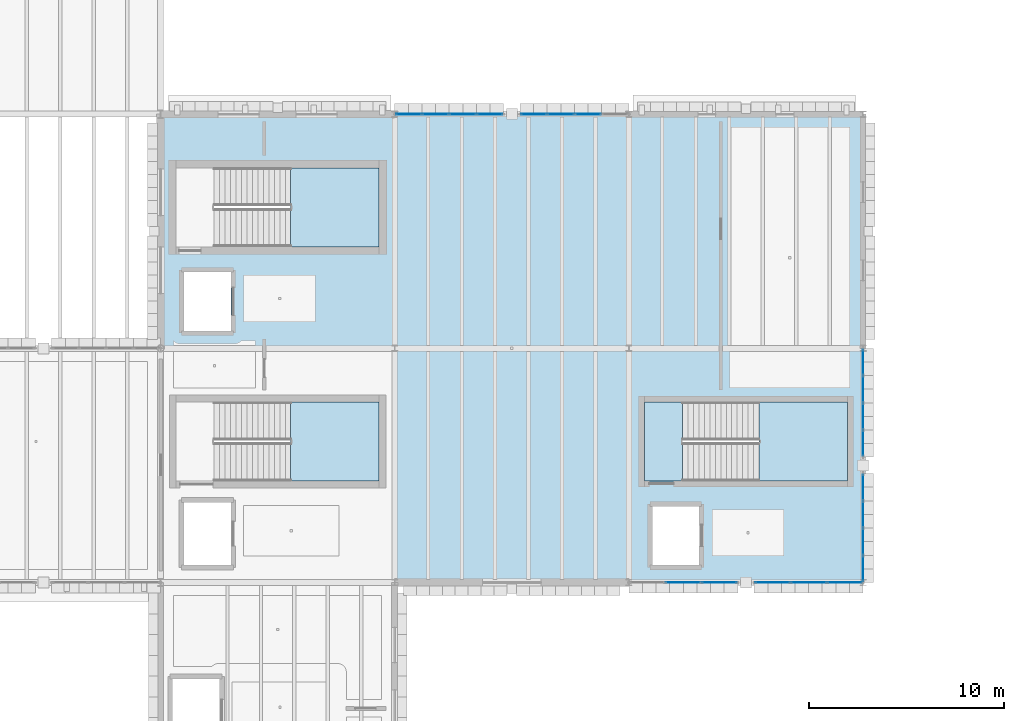
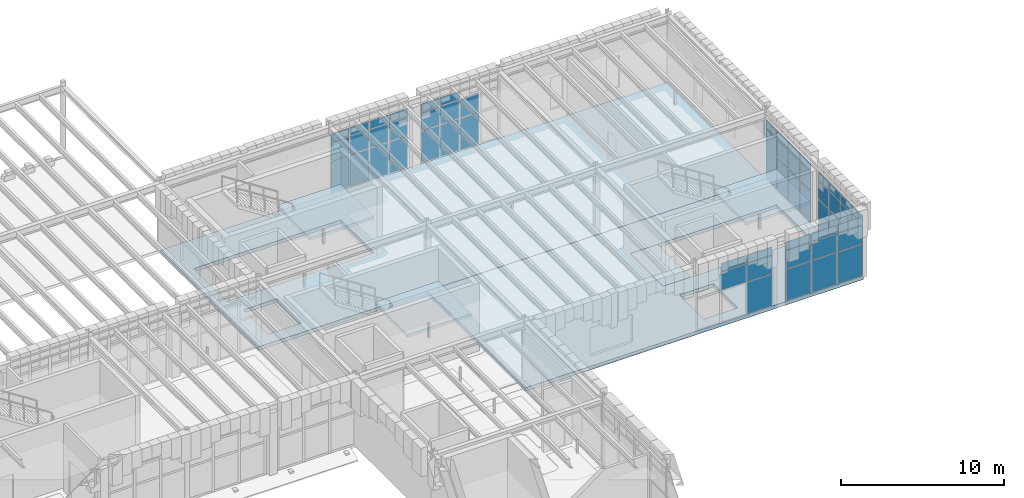
# One storey, part 54 of 100: 58 plates, 6 slabs, 9 elements without a shape of their own.
"""IFC4 building model written with IfcOpenShell, lengths in metres."""

from ifc_helpers import new_model, si_unit, direction, frame, origin, origin_2d, place, context, subcontext, project, spatial, polyline, rectangle, outline, extrude, material, layer, layer_set, type_object, element, aggregate, save


model = new_model("IFC4")

# Units and contexts
model_context = context("Model", 3, precision=1e-05, world=origin(), true_north=direction((0.0, 1.0)))
body_context = subcontext(model_context, "Body", "Model", "MODEL_VIEW")
ifc_project = project(units=[si_unit("LENGTHUNIT", "METRE"), si_unit("AREAUNIT", "SQUARE_METRE"), si_unit("VOLUMEUNIT", "CUBIC_METRE"), si_unit("PLANEANGLEUNIT", "RADIAN"), si_unit("MASSUNIT", "GRAM", prefix="KILO")], contexts=[model_context])

# Site, building, storey
site_placement = place(None, origin())
site = spatial("IfcSite", under=ifc_project, at=site_placement, CompositionType="ELEMENT")
building_placement = place(site_placement, origin())
building = spatial("IfcBuilding", under=site, at=building_placement, Name="Zlatogorsky Bluff Art Gallery", CompositionType="ELEMENT")
storey_placement = place(building_placement, frame((0.0, 0.0, 5.39990234375)))
storey = spatial("IfcBuildingStorey", under=building, at=storey_placement, Name="L01", CompositionType="ELEMENT", Elevation=5.39990234375)

# Curtain wall, plates
ifc_material_1 = material(Name="Anodised Bronze Aluminium and Low-Iron Triple Glazing", Category="aluminium")
ifc_layer_1 = layer(ifc_material_1, 0.179931640625)
ifc_layer_set_1 = layer_set([ifc_layer_1], Name="Curtain Wall CW-01")
curtain_wall_type_1 = type_object("IfcCurtainWallType", Name="Curtain Wall CW-01", PredefinedType="USERDEFINED", material=ifc_layer_set_1)
curtain_wall_1_placement = place(storey_placement, origin())
curtain_wall_1 = element("IfcCurtainWall", 1, at=curtain_wall_1_placement, inside=storey, type_object=curtain_wall_type_1, Name="Unitised curtain wall CW-01 L01 N 11.9-A", ObjectType="CURTAIN WALL", PredefinedType="USERDEFINED")
ifc_material_2 = material(Name="Low-Iron Laminated Triple Glazing", Category="glass")
ifc_layer_2 = layer(ifc_material_2, 0.035888671875)
ifc_layer_set_2 = layer_set([ifc_layer_2], Name="Glazed Curtain Panel CWP-01")
plate_type = type_object("IfcPlateType", Name="Glazed Curtain Panel CWP-01", PredefinedType="CURTAIN_PANEL", material=ifc_layer_set_2)
plate_1_placement = place(storey_placement, frame((141.907470703125, 108.0, 0.065185546875), z_axis=(0.0, 0.0, 1.0), x_axis=(-1.0, 0.0, 0.0)))
plate_1 = element("IfcPlate", 2, at=plate_1_placement, type_object=plate_type, Name="CW-01 panel 2.1", PredefinedType="CURTAIN_PANEL", context=body_context, shape_type="SweptSolid", body=[
    extrude(rectangle(XDim=1.330078125, YDim=0.035888671875, at=origin_2d()), origin(), (0.0, 0.0, 1.0), 2.3525390625),
])
plate_2_placement = place(storey_placement, frame((141.907470703125, 108.0, 2.482666015625), z_axis=(0.0, 0.0, 1.0), x_axis=(-1.0, 0.0, 0.0)))
plate_2 = element("IfcPlate", 3, at=plate_2_placement, type_object=plate_type, Name="CW-01 panel 2.2", PredefinedType="CURTAIN_PANEL", context=body_context, shape_type="SweptSolid", body=[
    extrude(rectangle(XDim=1.330078125, YDim=0.035888671875, at=origin_2d()), origin(), (0.0, 0.0, 1.0), 1.3349609375),
])
plate_3_placement = place(storey_placement, frame((140.512451171875, 108.0, 0.065185546875), z_axis=(0.0, 0.0, 1.0), x_axis=(-1.0, 0.0, 0.0)))
plate_3 = element("IfcPlate", 4, at=plate_3_placement, type_object=plate_type, Name="CW-01 panel 3.1", PredefinedType="CURTAIN_PANEL", context=body_context, shape_type="SweptSolid", body=[
    extrude(rectangle(XDim=1.330078125, YDim=0.035888671875, at=origin_2d()), origin(), (0.0, 0.0, 1.0), 2.3525390625),
])
plate_4_placement = place(storey_placement, frame((140.512451171875, 108.0, 2.482666015625), z_axis=(0.0, 0.0, 1.0), x_axis=(-1.0, 0.0, 0.0)))
plate_4 = element("IfcPlate", 5, at=plate_4_placement, type_object=plate_type, Name="CW-01 panel 3.2", PredefinedType="CURTAIN_PANEL", context=body_context, shape_type="SweptSolid", body=[
    extrude(rectangle(XDim=1.330078125, YDim=0.035888671875, at=origin_2d()), origin(), (0.0, 0.0, 1.0), 1.3349609375),
])
plate_5_placement = place(storey_placement, frame((140.512451171875, 108.0, 3.882568359375), z_axis=(0.0, 0.0, 1.0), x_axis=(-1.0, 0.0, 0.0)))
plate_5 = element("IfcPlate", 6, at=plate_5_placement, type_object=plate_type, Name="CW-01 panel 3.3", PredefinedType="CURTAIN_PANEL", context=body_context, shape_type="SweptSolid", body=[
    extrude(rectangle(XDim=1.330078125, YDim=0.035888671875, at=origin_2d()), origin(), (0.0, 0.0, 1.0), 0.58251953125),
])
plate_6_placement = place(storey_placement, frame((139.1337890625, 108.0, 0.065185546875), z_axis=(0.0, 0.0, 1.0), x_axis=(-1.0, 0.0, 0.0)))
plate_6 = element("IfcPlate", 7, at=plate_6_placement, type_object=plate_type, Name="CW-01 panel 4.1", PredefinedType="CURTAIN_PANEL", context=body_context, shape_type="SweptSolid", body=[
    extrude(rectangle(XDim=1.297607421875, YDim=0.035888671875, at=origin_2d()), origin(), (0.0, 0.0, 1.0), 2.3525390625),
])
plate_7_placement = place(storey_placement, frame((139.1337890625, 108.0, 2.482666015625), z_axis=(0.0, 0.0, 1.0), x_axis=(-1.0, 0.0, 0.0)))
plate_7 = element("IfcPlate", 8, at=plate_7_placement, type_object=plate_type, Name="CW-01 panel 4.2", PredefinedType="CURTAIN_PANEL", context=body_context, shape_type="SweptSolid", body=[
    extrude(rectangle(XDim=1.297607421875, YDim=0.035888671875, at=origin_2d()), origin(), (0.0, 0.0, 1.0), 1.3349609375),
])
plate_8_placement = place(storey_placement, frame((139.1337890625, 108.0, 3.882568359375), z_axis=(0.0, 0.0, 1.0), x_axis=(-1.0, 0.0, 0.0)))
plate_8 = element("IfcPlate", 9, at=plate_8_placement, type_object=plate_type, Name="CW-01 panel 4.3", PredefinedType="CURTAIN_PANEL", context=body_context, shape_type="SweptSolid", body=[
    extrude(rectangle(XDim=1.297607421875, YDim=0.035888671875, at=origin_2d()), origin(), (0.0, 0.0, 1.0), 0.58251953125),
])
aggregate(curtain_wall_1, [plate_1, plate_2, plate_3, plate_4, plate_5, plate_6, plate_7, plate_8])

curtain_wall_2_placement = place(storey_placement, origin())
curtain_wall_2 = element("IfcCurtainWall", 10, at=curtain_wall_2_placement, inside=storey, type_object=curtain_wall_type_1, Name="Unitised curtain wall CW-01 L01 N 11.9-B", ObjectType="CURTAIN WALL", PredefinedType="USERDEFINED")
plate_9_placement = place(storey_placement, frame((136.8662109375, 108.0, 0.065185546875), z_axis=(0.0, 0.0, 1.0), x_axis=(-1.0, 0.0, 0.0)))
plate_9 = element("IfcPlate", 11, at=plate_9_placement, type_object=plate_type, Name="CW-01 panel 1.1", PredefinedType="CURTAIN_PANEL", context=body_context, shape_type="SweptSolid", body=[
    extrude(rectangle(XDim=1.297607421875, YDim=0.035888671875, at=origin_2d()), origin(), (0.0, 0.0, 1.0), 2.3525390625),
])
plate_10_placement = place(storey_placement, frame((136.8662109375, 108.0, 2.482666015625), z_axis=(0.0, 0.0, 1.0), x_axis=(-1.0, 0.0, 0.0)))
plate_10 = element("IfcPlate", 12, at=plate_10_placement, type_object=plate_type, Name="CW-01 panel 1.2", PredefinedType="CURTAIN_PANEL", context=body_context, shape_type="SweptSolid", body=[
    extrude(rectangle(XDim=1.297607421875, YDim=0.035888671875, at=origin_2d()), origin(), (0.0, 0.0, 1.0), 1.3349609375),
])
plate_11_placement = place(storey_placement, frame((136.8662109375, 108.0, 3.882568359375), z_axis=(0.0, 0.0, 1.0), x_axis=(-1.0, 0.0, 0.0)))
plate_11 = element("IfcPlate", 13, at=plate_11_placement, type_object=plate_type, Name="CW-01 panel 1.3", PredefinedType="CURTAIN_PANEL", context=body_context, shape_type="SweptSolid", body=[
    extrude(rectangle(XDim=1.297607421875, YDim=0.035888671875, at=origin_2d()), origin(), (0.0, 0.0, 1.0), 0.58251953125),
])
plate_12_placement = place(storey_placement, frame((135.487548828125, 108.0, 0.065185546875), z_axis=(0.0, 0.0, 1.0), x_axis=(-1.0, 0.0, 0.0)))
plate_12 = element("IfcPlate", 14, at=plate_12_placement, type_object=plate_type, Name="CW-01 panel 2.1", PredefinedType="CURTAIN_PANEL", context=body_context, shape_type="SweptSolid", body=[
    extrude(rectangle(XDim=1.330078125, YDim=0.035888671875, at=origin_2d()), origin(), (0.0, 0.0, 1.0), 2.3525390625),
])
plate_13_placement = place(storey_placement, frame((135.487548828125, 108.0, 2.482666015625), z_axis=(0.0, 0.0, 1.0), x_axis=(-1.0, 0.0, 0.0)))
plate_13 = element("IfcPlate", 15, at=plate_13_placement, type_object=plate_type, Name="CW-01 panel 2.2", PredefinedType="CURTAIN_PANEL", context=body_context, shape_type="SweptSolid", body=[
    extrude(rectangle(XDim=1.330078125, YDim=0.035888671875, at=origin_2d()), origin(), (0.0, 0.0, 1.0), 1.3349609375),
])
plate_14_placement = place(storey_placement, frame((135.487548828125, 108.0, 3.882568359375), z_axis=(0.0, 0.0, 1.0), x_axis=(-1.0, 0.0, 0.0)))
plate_14 = element("IfcPlate", 16, at=plate_14_placement, type_object=plate_type, Name="CW-01 panel 2.3", PredefinedType="CURTAIN_PANEL", context=body_context, shape_type="SweptSolid", body=[
    extrude(rectangle(XDim=1.330078125, YDim=0.035888671875, at=origin_2d()), origin(), (0.0, 0.0, 1.0), 0.58251953125),
])
plate_15_placement = place(storey_placement, frame((134.092529296875, 108.0, 0.065185546875), z_axis=(0.0, 0.0, 1.0), x_axis=(-1.0, 0.0, 0.0)))
plate_15 = element("IfcPlate", 17, at=plate_15_placement, type_object=plate_type, Name="CW-01 panel 3.1", PredefinedType="CURTAIN_PANEL", context=body_context, shape_type="SweptSolid", body=[
    extrude(rectangle(XDim=1.330078125, YDim=0.035888671875, at=origin_2d()), origin(), (0.0, 0.0, 1.0), 2.3525390625),
])
plate_16_placement = place(storey_placement, frame((134.092529296875, 108.0, 2.482666015625), z_axis=(0.0, 0.0, 1.0), x_axis=(-1.0, 0.0, 0.0)))
plate_16 = element("IfcPlate", 18, at=plate_16_placement, type_object=plate_type, Name="CW-01 panel 3.2", PredefinedType="CURTAIN_PANEL", context=body_context, shape_type="SweptSolid", body=[
    extrude(rectangle(XDim=1.330078125, YDim=0.035888671875, at=origin_2d()), origin(), (0.0, 0.0, 1.0), 1.3349609375),
])
plate_17_placement = place(storey_placement, frame((134.092529296875, 108.0, 3.882568359375), z_axis=(0.0, 0.0, 1.0), x_axis=(-1.0, 0.0, 0.0)))
plate_17 = element("IfcPlate", 19, at=plate_17_placement, type_object=plate_type, Name="CW-01 panel 3.3", PredefinedType="CURTAIN_PANEL", context=body_context, shape_type="SweptSolid", body=[
    extrude(rectangle(XDim=1.330078125, YDim=0.035888671875, at=origin_2d()), origin(), (0.0, 0.0, 1.0), 0.58251953125),
])
plate_18_placement = place(storey_placement, frame((132.7138671875, 108.0, 0.065185546875), z_axis=(0.0, 0.0, 1.0), x_axis=(-1.0, 0.0, 0.0)))
plate_18 = element("IfcPlate", 20, at=plate_18_placement, type_object=plate_type, Name="CW-01 panel 4.1", PredefinedType="CURTAIN_PANEL", context=body_context, shape_type="SweptSolid", body=[
    extrude(rectangle(XDim=1.297607421875, YDim=0.035888671875, at=origin_2d()), origin(), (0.0, 0.0, 1.0), 2.3525390625),
])
plate_19_placement = place(storey_placement, frame((132.7138671875, 108.0, 2.482666015625), z_axis=(0.0, 0.0, 1.0), x_axis=(-1.0, 0.0, 0.0)))
plate_19 = element("IfcPlate", 21, at=plate_19_placement, type_object=plate_type, Name="CW-01 panel 4.2", PredefinedType="CURTAIN_PANEL", context=body_context, shape_type="SweptSolid", body=[
    extrude(rectangle(XDim=1.297607421875, YDim=0.035888671875, at=origin_2d()), origin(), (0.0, 0.0, 1.0), 1.3349609375),
])
plate_20_placement = place(storey_placement, frame((132.7138671875, 108.0, 3.882568359375), z_axis=(0.0, 0.0, 1.0), x_axis=(-1.0, 0.0, 0.0)))
plate_20 = element("IfcPlate", 22, at=plate_20_placement, type_object=plate_type, Name="CW-01 panel 4.3", PredefinedType="CURTAIN_PANEL", context=body_context, shape_type="SweptSolid", body=[
    extrude(rectangle(XDim=1.297607421875, YDim=0.035888671875, at=origin_2d()), origin(), (0.0, 0.0, 1.0), 0.58251953125),
])
aggregate(curtain_wall_2, [plate_9, plate_10, plate_11, plate_12, plate_13, plate_14, plate_15, plate_16, plate_17, plate_18, plate_19, plate_20])

ifc_layer_3 = layer(ifc_material_1, 0.219970703125)
ifc_layer_set_3 = layer_set([ifc_layer_3], Name="Curtain Wall CW-04")
curtain_wall_type_2 = type_object("IfcCurtainWallType", Name="Curtain Wall CW-04", PredefinedType="USERDEFINED", material=ifc_layer_set_3)
curtain_wall_3_placement = place(storey_placement, origin())
curtain_wall_3 = element("IfcCurtainWall", 23, at=curtain_wall_3_placement, inside=storey, type_object=curtain_wall_type_2, Name="Unitised curtain wall CW-04 L01 S 12.8-A", ObjectType="CURTAIN WALL", PredefinedType="USERDEFINED")
plate_21_placement = place(storey_placement, frame((146.7900390625, 84.0, 2.482666015625), z_axis=(0.0, 0.0, 1.0), x_axis=(1.0, 0.0, 0.0)))
plate_21 = element("IfcPlate", 24, at=plate_21_placement, type_object=plate_type, Name="CW-04 panel 2.2", PredefinedType="CURTAIN_PANEL", context=body_context, shape_type="SweptSolid", body=[
    extrude(rectangle(XDim=1.794921875, YDim=0.035888671875, at=origin_2d()), origin(), (0.0, 0.0, 1.0), 1.3349609375),
])
plate_22_placement = place(storey_placement, frame((146.7900390625, 84.0, 3.882568359375), z_axis=(0.0, 0.0, 1.0), x_axis=(1.0, 0.0, 0.0)))
plate_22 = element("IfcPlate", 25, at=plate_22_placement, type_object=plate_type, Name="CW-04 panel 2.3", PredefinedType="CURTAIN_PANEL", context=body_context, shape_type="SweptSolid", body=[
    extrude(rectangle(XDim=1.794921875, YDim=0.035888671875, at=origin_2d()), origin(), (0.0, 0.0, 1.0), 0.58251953125),
])
plate_23_placement = place(storey_placement, frame((148.6337890625, 84.0, 0.065185546875), z_axis=(0.0, 0.0, 1.0), x_axis=(1.0, 0.0, 0.0)))
plate_23 = element("IfcPlate", 26, at=plate_23_placement, type_object=plate_type, Name="CW-04 panel 3.1", PredefinedType="CURTAIN_PANEL", context=body_context, shape_type="SweptSolid", body=[
    extrude(rectangle(XDim=1.762451171875, YDim=0.035888671875, at=origin_2d()), origin(), (0.0, 0.0, 1.0), 2.3525390625),
])
plate_24_placement = place(storey_placement, frame((148.6337890625, 84.0, 2.482666015625), z_axis=(0.0, 0.0, 1.0), x_axis=(1.0, 0.0, 0.0)))
plate_24 = element("IfcPlate", 27, at=plate_24_placement, type_object=plate_type, Name="CW-04 panel 3.2", PredefinedType="CURTAIN_PANEL", context=body_context, shape_type="SweptSolid", body=[
    extrude(rectangle(XDim=1.762451171875, YDim=0.035888671875, at=origin_2d()), origin(), (0.0, 0.0, 1.0), 1.3349609375),
])
plate_25_placement = place(storey_placement, frame((148.6337890625, 84.0, 3.882568359375), z_axis=(0.0, 0.0, 1.0), x_axis=(1.0, 0.0, 0.0)))
plate_25 = element("IfcPlate", 28, at=plate_25_placement, type_object=plate_type, Name="CW-04 panel 3.3", PredefinedType="CURTAIN_PANEL", context=body_context, shape_type="SweptSolid", body=[
    extrude(rectangle(XDim=1.762451171875, YDim=0.035888671875, at=origin_2d()), origin(), (0.0, 0.0, 1.0), 0.58251953125),
])
aggregate(curtain_wall_3, [plate_21, plate_22, plate_23, plate_24, plate_25])

curtain_wall_4_placement = place(storey_placement, origin())
curtain_wall_4 = element("IfcCurtainWall", 29, at=curtain_wall_4_placement, inside=storey, type_object=curtain_wall_type_2, Name="Unitised curtain wall CW-04 L01 S 12.8-B", ObjectType="CURTAIN WALL", PredefinedType="USERDEFINED")
plate_26_placement = place(storey_placement, frame((151.3662109375, 84.0, 0.065185546875), z_axis=(0.0, 0.0, 1.0), x_axis=(1.0, 0.0, 0.0)))
plate_26 = element("IfcPlate", 30, at=plate_26_placement, type_object=plate_type, Name="CW-04 panel 1.1", PredefinedType="CURTAIN_PANEL", context=body_context, shape_type="SweptSolid", body=[
    extrude(rectangle(XDim=1.762451171875, YDim=0.035888671875, at=origin_2d()), origin(), (0.0, 0.0, 1.0), 2.3525390625),
])
plate_27_placement = place(storey_placement, frame((151.3662109375, 84.0, 2.482666015625), z_axis=(0.0, 0.0, 1.0), x_axis=(1.0, 0.0, 0.0)))
plate_27 = element("IfcPlate", 31, at=plate_27_placement, type_object=plate_type, Name="CW-04 panel 1.2", PredefinedType="CURTAIN_PANEL", context=body_context, shape_type="SweptSolid", body=[
    extrude(rectangle(XDim=1.762451171875, YDim=0.035888671875, at=origin_2d()), origin(), (0.0, 0.0, 1.0), 1.3349609375),
])
plate_28_placement = place(storey_placement, frame((151.3662109375, 84.0, 3.882568359375), z_axis=(0.0, 0.0, 1.0), x_axis=(1.0, 0.0, 0.0)))
plate_28 = element("IfcPlate", 32, at=plate_28_placement, type_object=plate_type, Name="CW-04 panel 1.3", PredefinedType="CURTAIN_PANEL", context=body_context, shape_type="SweptSolid", body=[
    extrude(rectangle(XDim=1.762451171875, YDim=0.035888671875, at=origin_2d()), origin(), (0.0, 0.0, 1.0), 0.58251953125),
])
plate_29_placement = place(storey_placement, frame((153.2099609375, 84.0, 0.065185546875), z_axis=(0.0, 0.0, 1.0), x_axis=(1.0, 0.0, 0.0)))
plate_29 = element("IfcPlate", 33, at=plate_29_placement, type_object=plate_type, Name="CW-04 panel 2.1", PredefinedType="CURTAIN_PANEL", context=body_context, shape_type="SweptSolid", body=[
    extrude(rectangle(XDim=1.794921875, YDim=0.035888671875, at=origin_2d()), origin(), (0.0, 0.0, 1.0), 2.3525390625),
])
plate_30_placement = place(storey_placement, frame((153.2099609375, 84.0, 2.482666015625), z_axis=(0.0, 0.0, 1.0), x_axis=(1.0, 0.0, 0.0)))
plate_30 = element("IfcPlate", 34, at=plate_30_placement, type_object=plate_type, Name="CW-04 panel 2.2", PredefinedType="CURTAIN_PANEL", context=body_context, shape_type="SweptSolid", body=[
    extrude(rectangle(XDim=1.794921875, YDim=0.035888671875, at=origin_2d()), origin(), (0.0, 0.0, 1.0), 1.3349609375),
])
plate_31_placement = place(storey_placement, frame((153.2099609375, 84.0, 3.882568359375), z_axis=(0.0, 0.0, 1.0), x_axis=(1.0, 0.0, 0.0)))
plate_31 = element("IfcPlate", 35, at=plate_31_placement, type_object=plate_type, Name="CW-04 panel 2.3", PredefinedType="CURTAIN_PANEL", context=body_context, shape_type="SweptSolid", body=[
    extrude(rectangle(XDim=1.794921875, YDim=0.035888671875, at=origin_2d()), origin(), (0.0, 0.0, 1.0), 0.58251953125),
])
plate_32_placement = place(storey_placement, frame((155.0537109375, 84.0, 0.065185546875), z_axis=(0.0, 0.0, 1.0), x_axis=(1.0, 0.0, 0.0)))
plate_32 = element("IfcPlate", 36, at=plate_32_placement, type_object=plate_type, Name="CW-04 panel 3.1", PredefinedType="CURTAIN_PANEL", context=body_context, shape_type="SweptSolid", body=[
    extrude(rectangle(XDim=1.762451171875, YDim=0.035888671875, at=origin_2d()), origin(), (0.0, 0.0, 1.0), 2.3525390625),
])
plate_33_placement = place(storey_placement, frame((155.0537109375, 84.0, 2.482666015625), z_axis=(0.0, 0.0, 1.0), x_axis=(1.0, 0.0, 0.0)))
plate_33 = element("IfcPlate", 37, at=plate_33_placement, type_object=plate_type, Name="CW-04 panel 3.2", PredefinedType="CURTAIN_PANEL", context=body_context, shape_type="SweptSolid", body=[
    extrude(rectangle(XDim=1.762451171875, YDim=0.035888671875, at=origin_2d()), origin(), (0.0, 0.0, 1.0), 1.3349609375),
])
plate_34_placement = place(storey_placement, frame((155.0537109375, 84.0, 3.882568359375), z_axis=(0.0, 0.0, 1.0), x_axis=(1.0, 0.0, 0.0)))
plate_34 = element("IfcPlate", 38, at=plate_34_placement, type_object=plate_type, Name="CW-04 panel 3.3", PredefinedType="CURTAIN_PANEL", context=body_context, shape_type="SweptSolid", body=[
    extrude(rectangle(XDim=1.762451171875, YDim=0.035888671875, at=origin_2d()), origin(), (0.0, 0.0, 1.0), 0.58251953125),
])
aggregate(curtain_wall_4, [plate_26, plate_27, plate_28, plate_29, plate_30, plate_31, plate_32, plate_33, plate_34])

ifc_layer_4 = layer(ifc_material_1, 0.199951171875)
ifc_layer_set_4 = layer_set([ifc_layer_4], Name="Curtain Wall CW-02")
curtain_wall_type_3 = type_object("IfcCurtainWallType", Name="Curtain Wall CW-02", PredefinedType="USERDEFINED", material=ifc_layer_set_4)
curtain_wall_5_placement = place(storey_placement, origin())
curtain_wall_5 = element("IfcCurtainWall", 39, at=curtain_wall_5_placement, inside=storey, type_object=curtain_wall_type_3, Name="Unitised curtain wall CW-02 L01 E 12.8-A", ObjectType="CURTAIN WALL", PredefinedType="USERDEFINED")
plate_35_placement = place(storey_placement, frame((156.0, 84.7138671875, 0.065185546875), z_axis=(0.0, 0.0, 1.0), x_axis=(0.0, 1.0, 0.0)))
plate_35 = element("IfcPlate", 40, at=plate_35_placement, type_object=plate_type, Name="CW-02 panel 1.1", PredefinedType="CURTAIN_PANEL", context=body_context, shape_type="SweptSolid", body=[
    extrude(rectangle(XDim=1.297607421875, YDim=0.035888671875, at=origin_2d()), origin(), (0.0, 0.0, 1.0), 2.3525390625),
])
plate_36_placement = place(storey_placement, frame((156.0, 84.7138671875, 2.482666015625), z_axis=(0.0, 0.0, 1.0), x_axis=(0.0, 1.0, 0.0)))
plate_36 = element("IfcPlate", 41, at=plate_36_placement, type_object=plate_type, Name="CW-02 panel 1.2", PredefinedType="CURTAIN_PANEL", context=body_context, shape_type="SweptSolid", body=[
    extrude(rectangle(XDim=1.297607421875, YDim=0.035888671875, at=origin_2d()), origin(), (0.0, 0.0, 1.0), 1.3349609375),
])
plate_37_placement = place(storey_placement, frame((156.0, 84.7138671875, 3.882568359375), z_axis=(0.0, 0.0, 1.0), x_axis=(0.0, 1.0, 0.0)))
plate_37 = element("IfcPlate", 42, at=plate_37_placement, type_object=plate_type, Name="CW-02 panel 1.3", PredefinedType="CURTAIN_PANEL", context=body_context, shape_type="SweptSolid", body=[
    extrude(rectangle(XDim=1.297607421875, YDim=0.035888671875, at=origin_2d()), origin(), (0.0, 0.0, 1.0), 0.58251953125),
])
plate_38_placement = place(storey_placement, frame((156.0, 86.092529296875, 0.065185546875), z_axis=(0.0, 0.0, 1.0), x_axis=(0.0, 1.0, 0.0)))
plate_38 = element("IfcPlate", 43, at=plate_38_placement, type_object=plate_type, Name="CW-02 panel 2.1", PredefinedType="CURTAIN_PANEL", context=body_context, shape_type="SweptSolid", body=[
    extrude(rectangle(XDim=1.330078125, YDim=0.035888671875, at=origin_2d()), origin(), (0.0, 0.0, 1.0), 2.3525390625),
])
plate_39_placement = place(storey_placement, frame((156.0, 86.092529296875, 2.482666015625), z_axis=(0.0, 0.0, 1.0), x_axis=(0.0, 1.0, 0.0)))
plate_39 = element("IfcPlate", 44, at=plate_39_placement, type_object=plate_type, Name="CW-02 panel 2.2", PredefinedType="CURTAIN_PANEL", context=body_context, shape_type="SweptSolid", body=[
    extrude(rectangle(XDim=1.330078125, YDim=0.035888671875, at=origin_2d()), origin(), (0.0, 0.0, 1.0), 1.3349609375),
])
plate_40_placement = place(storey_placement, frame((156.0, 86.092529296875, 3.882568359375), z_axis=(0.0, 0.0, 1.0), x_axis=(0.0, 1.0, 0.0)))
plate_40 = element("IfcPlate", 45, at=plate_40_placement, type_object=plate_type, Name="CW-02 panel 2.3", PredefinedType="CURTAIN_PANEL", context=body_context, shape_type="SweptSolid", body=[
    extrude(rectangle(XDim=1.330078125, YDim=0.035888671875, at=origin_2d()), origin(), (0.0, 0.0, 1.0), 0.58251953125),
])
plate_41_placement = place(storey_placement, frame((156.0, 87.487548828125, 0.065185546875), z_axis=(0.0, 0.0, 1.0), x_axis=(0.0, 1.0, 0.0)))
plate_41 = element("IfcPlate", 46, at=plate_41_placement, type_object=plate_type, Name="CW-02 panel 3.1", PredefinedType="CURTAIN_PANEL", context=body_context, shape_type="SweptSolid", body=[
    extrude(rectangle(XDim=1.330078125, YDim=0.035888671875, at=origin_2d()), origin(), (0.0, 0.0, 1.0), 2.3525390625),
])
plate_42_placement = place(storey_placement, frame((156.0, 87.487548828125, 2.482666015625), z_axis=(0.0, 0.0, 1.0), x_axis=(0.0, 1.0, 0.0)))
plate_42 = element("IfcPlate", 47, at=plate_42_placement, type_object=plate_type, Name="CW-02 panel 3.2", PredefinedType="CURTAIN_PANEL", context=body_context, shape_type="SweptSolid", body=[
    extrude(rectangle(XDim=1.330078125, YDim=0.035888671875, at=origin_2d()), origin(), (0.0, 0.0, 1.0), 1.3349609375),
])
plate_43_placement = place(storey_placement, frame((156.0, 87.487548828125, 3.882568359375), z_axis=(0.0, 0.0, 1.0), x_axis=(0.0, 1.0, 0.0)))
plate_43 = element("IfcPlate", 48, at=plate_43_placement, type_object=plate_type, Name="CW-02 panel 3.3", PredefinedType="CURTAIN_PANEL", context=body_context, shape_type="SweptSolid", body=[
    extrude(rectangle(XDim=1.330078125, YDim=0.035888671875, at=origin_2d()), origin(), (0.0, 0.0, 1.0), 0.58251953125),
])
plate_44_placement = place(storey_placement, frame((156.0, 88.8662109375, 0.065185546875), z_axis=(0.0, 0.0, 1.0), x_axis=(0.0, 1.0, 0.0)))
plate_44 = element("IfcPlate", 49, at=plate_44_placement, type_object=plate_type, Name="CW-02 panel 4.1", PredefinedType="CURTAIN_PANEL", context=body_context, shape_type="SweptSolid", body=[
    extrude(rectangle(XDim=1.297607421875, YDim=0.035888671875, at=origin_2d()), origin(), (0.0, 0.0, 1.0), 2.3525390625),
])
plate_45_placement = place(storey_placement, frame((156.0, 88.8662109375, 2.482666015625), z_axis=(0.0, 0.0, 1.0), x_axis=(0.0, 1.0, 0.0)))
plate_45 = element("IfcPlate", 50, at=plate_45_placement, type_object=plate_type, Name="CW-02 panel 4.2", PredefinedType="CURTAIN_PANEL", context=body_context, shape_type="SweptSolid", body=[
    extrude(rectangle(XDim=1.297607421875, YDim=0.035888671875, at=origin_2d()), origin(), (0.0, 0.0, 1.0), 1.3349609375),
])
plate_46_placement = place(storey_placement, frame((156.0, 88.8662109375, 3.882568359375), z_axis=(0.0, 0.0, 1.0), x_axis=(0.0, 1.0, 0.0)))
plate_46 = element("IfcPlate", 51, at=plate_46_placement, type_object=plate_type, Name="CW-02 panel 4.3", PredefinedType="CURTAIN_PANEL", context=body_context, shape_type="SweptSolid", body=[
    extrude(rectangle(XDim=1.297607421875, YDim=0.035888671875, at=origin_2d()), origin(), (0.0, 0.0, 1.0), 0.58251953125),
])
aggregate(curtain_wall_5, [plate_35, plate_36, plate_37, plate_38, plate_39, plate_40, plate_41, plate_42, plate_43, plate_44, plate_45, plate_46])

curtain_wall_6_placement = place(storey_placement, origin())
curtain_wall_6 = element("IfcCurtainWall", 52, at=curtain_wall_6_placement, inside=storey, type_object=curtain_wall_type_3, Name="Unitised curtain wall CW-02 L01 E 12.8-B", ObjectType="CURTAIN WALL", PredefinedType="USERDEFINED")
plate_47_placement = place(storey_placement, frame((156.0, 91.1337890625, 0.065185546875), z_axis=(0.0, 0.0, 1.0), x_axis=(0.0, 1.0, 0.0)))
plate_47 = element("IfcPlate", 53, at=plate_47_placement, type_object=plate_type, Name="CW-02 panel 1.1", PredefinedType="CURTAIN_PANEL", context=body_context, shape_type="SweptSolid", body=[
    extrude(rectangle(XDim=1.297607421875, YDim=0.035888671875, at=origin_2d()), origin(), (0.0, 0.0, 1.0), 2.3525390625),
])
plate_48_placement = place(storey_placement, frame((156.0, 91.1337890625, 2.482666015625), z_axis=(0.0, 0.0, 1.0), x_axis=(0.0, 1.0, 0.0)))
plate_48 = element("IfcPlate", 54, at=plate_48_placement, type_object=plate_type, Name="CW-02 panel 1.2", PredefinedType="CURTAIN_PANEL", context=body_context, shape_type="SweptSolid", body=[
    extrude(rectangle(XDim=1.297607421875, YDim=0.035888671875, at=origin_2d()), origin(), (0.0, 0.0, 1.0), 1.3349609375),
])
plate_49_placement = place(storey_placement, frame((156.0, 91.1337890625, 3.882568359375), z_axis=(0.0, 0.0, 1.0), x_axis=(0.0, 1.0, 0.0)))
plate_49 = element("IfcPlate", 55, at=plate_49_placement, type_object=plate_type, Name="CW-02 panel 1.3", PredefinedType="CURTAIN_PANEL", context=body_context, shape_type="SweptSolid", body=[
    extrude(rectangle(XDim=1.297607421875, YDim=0.035888671875, at=origin_2d()), origin(), (0.0, 0.0, 1.0), 0.58251953125),
])
plate_50_placement = place(storey_placement, frame((156.0, 92.512451171875, 0.065185546875), z_axis=(0.0, 0.0, 1.0), x_axis=(0.0, 1.0, 0.0)))
plate_50 = element("IfcPlate", 56, at=plate_50_placement, type_object=plate_type, Name="CW-02 panel 2.1", PredefinedType="CURTAIN_PANEL", context=body_context, shape_type="SweptSolid", body=[
    extrude(rectangle(XDim=1.330078125, YDim=0.035888671875, at=origin_2d()), origin(), (0.0, 0.0, 1.0), 2.3525390625),
])
plate_51_placement = place(storey_placement, frame((156.0, 92.512451171875, 2.482666015625), z_axis=(0.0, 0.0, 1.0), x_axis=(0.0, 1.0, 0.0)))
plate_51 = element("IfcPlate", 57, at=plate_51_placement, type_object=plate_type, Name="CW-02 panel 2.2", PredefinedType="CURTAIN_PANEL", context=body_context, shape_type="SweptSolid", body=[
    extrude(rectangle(XDim=1.330078125, YDim=0.035888671875, at=origin_2d()), origin(), (0.0, 0.0, 1.0), 1.3349609375),
])
plate_52_placement = place(storey_placement, frame((156.0, 92.512451171875, 3.882568359375), z_axis=(0.0, 0.0, 1.0), x_axis=(0.0, 1.0, 0.0)))
plate_52 = element("IfcPlate", 58, at=plate_52_placement, type_object=plate_type, Name="CW-02 panel 2.3", PredefinedType="CURTAIN_PANEL", context=body_context, shape_type="SweptSolid", body=[
    extrude(rectangle(XDim=1.330078125, YDim=0.035888671875, at=origin_2d()), origin(), (0.0, 0.0, 1.0), 0.58251953125),
])
plate_53_placement = place(storey_placement, frame((156.0, 93.907470703125, 0.065185546875), z_axis=(0.0, 0.0, 1.0), x_axis=(0.0, 1.0, 0.0)))
plate_53 = element("IfcPlate", 59, at=plate_53_placement, type_object=plate_type, Name="CW-02 panel 3.1", PredefinedType="CURTAIN_PANEL", context=body_context, shape_type="SweptSolid", body=[
    extrude(rectangle(XDim=1.330078125, YDim=0.035888671875, at=origin_2d()), origin(), (0.0, 0.0, 1.0), 2.3525390625),
])
plate_54_placement = place(storey_placement, frame((156.0, 93.907470703125, 2.482666015625), z_axis=(0.0, 0.0, 1.0), x_axis=(0.0, 1.0, 0.0)))
plate_54 = element("IfcPlate", 60, at=plate_54_placement, type_object=plate_type, Name="CW-02 panel 3.2", PredefinedType="CURTAIN_PANEL", context=body_context, shape_type="SweptSolid", body=[
    extrude(rectangle(XDim=1.330078125, YDim=0.035888671875, at=origin_2d()), origin(), (0.0, 0.0, 1.0), 1.3349609375),
])
plate_55_placement = place(storey_placement, frame((156.0, 93.907470703125, 3.882568359375), z_axis=(0.0, 0.0, 1.0), x_axis=(0.0, 1.0, 0.0)))
plate_55 = element("IfcPlate", 61, at=plate_55_placement, type_object=plate_type, Name="CW-02 panel 3.3", PredefinedType="CURTAIN_PANEL", context=body_context, shape_type="SweptSolid", body=[
    extrude(rectangle(XDim=1.330078125, YDim=0.035888671875, at=origin_2d()), origin(), (0.0, 0.0, 1.0), 0.58251953125),
])
plate_56_placement = place(storey_placement, frame((156.0, 95.2861328125, 0.065185546875), z_axis=(0.0, 0.0, 1.0), x_axis=(0.0, 1.0, 0.0)))
plate_56 = element("IfcPlate", 62, at=plate_56_placement, type_object=plate_type, Name="CW-02 panel 4.1", PredefinedType="CURTAIN_PANEL", context=body_context, shape_type="SweptSolid", body=[
    extrude(rectangle(XDim=1.297607421875, YDim=0.035888671875, at=origin_2d()), origin(), (0.0, 0.0, 1.0), 2.3525390625),
])
plate_57_placement = place(storey_placement, frame((156.0, 95.2861328125, 2.482666015625), z_axis=(0.0, 0.0, 1.0), x_axis=(0.0, 1.0, 0.0)))
plate_57 = element("IfcPlate", 63, at=plate_57_placement, type_object=plate_type, Name="CW-02 panel 4.2", PredefinedType="CURTAIN_PANEL", context=body_context, shape_type="SweptSolid", body=[
    extrude(rectangle(XDim=1.297607421875, YDim=0.035888671875, at=origin_2d()), origin(), (0.0, 0.0, 1.0), 1.3349609375),
])
plate_58_placement = place(storey_placement, frame((156.0, 95.2861328125, 3.882568359375), z_axis=(0.0, 0.0, 1.0), x_axis=(0.0, 1.0, 0.0)))
plate_58 = element("IfcPlate", 64, at=plate_58_placement, type_object=plate_type, Name="CW-02 panel 4.3", PredefinedType="CURTAIN_PANEL", context=body_context, shape_type="SweptSolid", body=[
    extrude(rectangle(XDim=1.297607421875, YDim=0.035888671875, at=origin_2d()), origin(), (0.0, 0.0, 1.0), 0.58251953125),
])
aggregate(curtain_wall_6, [plate_47, plate_48, plate_49, plate_50, plate_51, plate_52, plate_53, plate_54, plate_55, plate_56, plate_57, plate_58])

# Slabs
ifc_material_3 = material(Name="Concrete C30/37", Category="concrete")
ifc_layer_5 = layer(ifc_material_3, 0.260009765625)
ifc_layer_set_5 = layer_set([ifc_layer_5], Name="Slab SL-01 260mm")
slab_type_1 = type_object("IfcSlabType", Name="Slab SL-01 260mm", PredefinedType="FLOOR", material=ifc_layer_set_5)
slab_1_placement = place(storey_placement, frame((0.0, 0.0, -0.260009765625)))
element("IfcSlab", 65, at=slab_1_placement, inside=storey, type_object=slab_type_1, Name="L01 structural floor slab panel 12", PredefinedType="FLOOR", context=body_context, shape_type="SweptSolid", body=[
    extrude(outline(polyline([(120.0, 108.0), (132.0, 108.0), (144.0, 108.0), (156.0, 108.0), (156.0, 96.0), (144.0, 96.0), (132.0, 96.0), (120.0, 96.0), (120.0, 108.0)]), holes=[polyline([(123.60009765625, 99.89990234375), (121.199951171875, 99.89990234375), (121.199951171875, 96.89990234375), (123.60009765625, 96.89990234375), (123.60009765625, 99.89990234375)]), polyline([(131.199951171875, 101.199951171875), (131.199951171875, 105.25), (120.800048828125, 105.25), (120.800048828125, 101.199951171875), (131.199951171875, 101.199951171875)])]), origin(), (0.0, 0.0, 1.0), 0.260009765625),
])
slab_2_placement = place(storey_placement, frame((0.0, 0.0, -0.260009765625)))
element("IfcSlab", 66, at=slab_2_placement, inside=storey, type_object=slab_type_1, Name="L01 structural floor slab panel 14", PredefinedType="FLOOR", context=body_context, shape_type="SweptSolid", body=[
    extrude(outline(polyline([(132.0, 96.0), (144.0, 96.0), (156.0, 96.0), (156.0, 84.0), (144.0, 84.0), (132.0, 84.0), (132.0, 96.0)]), holes=[polyline([(147.60009765625, 87.89990234375), (145.199951171875, 87.89990234375), (145.199951171875, 84.89990234375), (147.60009765625, 84.89990234375), (147.60009765625, 87.89990234375)]), polyline([(155.199951171875, 89.199951171875), (155.199951171875, 93.25), (144.800048828125, 93.25), (144.800048828125, 89.199951171875), (155.199951171875, 89.199951171875)])]), origin(), (0.0, 0.0, 1.0), 0.260009765625),
])
slab_3_placement = place(storey_placement, frame((0.0, 0.0, -0.260009765625)))
element("IfcSlab", 67, at=slab_3_placement, inside=storey, type_object=slab_type_1, Name="L01 stair ST-04 structural floor landing slab", PredefinedType="FLOOR", context=body_context, shape_type="SweptSolid", body=[
    extrude(outline(polyline([(144.800048828125, 89.199951171875), (146.75, 89.199951171875), (146.75, 93.25), (144.800048828125, 93.25), (144.800048828125, 89.199951171875)])), origin(), (0.0, 0.0, 1.0), 0.260009765625),
])

# Stair, slab
stair_type = type_object("IfcStairType", Name="Protected Dogleg Stair ST-T3", PredefinedType="HALF_TURN_STAIR", material=ifc_material_3)
stair_1_placement = place(storey_placement, origin())
stair_1 = element("IfcStair", 68, at=stair_1_placement, inside=storey, type_object=stair_type, Name="L01 Protected Exit Stair ST-02", PredefinedType="HALF_TURN_STAIR")
ifc_layer_6 = layer(ifc_material_3, 0.199951171875)
ifc_layer_set_6 = layer_set([ifc_layer_6], Name="Stair Half-Landing 200mm")
slab_type_2 = type_object("IfcSlabType", Name="Stair Half-Landing 200mm", PredefinedType="LANDING", material=ifc_layer_set_6)
slab_4_placement = place(storey_placement, frame((0.0, 0.0, 2.5)))
slab_4 = element("IfcSlab", 69, at=slab_4_placement, type_object=slab_type_2, Name="ST-02 landing 1", PredefinedType="LANDING", context=body_context, shape_type="SweptSolid", body=[
    extrude(outline(polyline([(126.669921875, 89.199951171875), (131.199951171875, 89.199951171875), (131.199951171875, 93.25), (126.669921875, 93.25), (126.669921875, 89.199951171875)])), origin(), (0.0, 0.0, 1.0), 0.2001953125),
])
aggregate(stair_1, [slab_4])

stair_2_placement = place(storey_placement, origin())
stair_2 = element("IfcStair", 70, at=stair_2_placement, inside=storey, type_object=stair_type, Name="L01 Protected Exit Stair ST-03", PredefinedType="HALF_TURN_STAIR")
slab_5_placement = place(storey_placement, frame((0.0, 0.0, 2.5)))
slab_5 = element("IfcSlab", 71, at=slab_5_placement, type_object=slab_type_2, Name="ST-03 landing 1", PredefinedType="LANDING", context=body_context, shape_type="SweptSolid", body=[
    extrude(outline(polyline([(126.669921875, 101.199951171875), (131.199951171875, 101.199951171875), (131.199951171875, 105.25), (126.669921875, 105.25), (126.669921875, 101.199951171875)])), origin(), (0.0, 0.0, 1.0), 0.2001953125),
])
aggregate(stair_2, [slab_5])

stair_3_placement = place(storey_placement, origin())
stair_3 = element("IfcStair", 72, at=stair_3_placement, inside=storey, type_object=stair_type, Name="L01 Protected Exit Stair ST-04", PredefinedType="HALF_TURN_STAIR")
slab_6_placement = place(storey_placement, frame((0.0, 0.0, 2.5)))
slab_6 = element("IfcSlab", 73, at=slab_6_placement, type_object=slab_type_2, Name="ST-04 landing 1", PredefinedType="LANDING", context=body_context, shape_type="SweptSolid", body=[
    extrude(outline(polyline([(150.669921875, 89.199951171875), (155.199951171875, 89.199951171875), (155.199951171875, 93.25), (150.669921875, 93.25), (150.669921875, 89.199951171875)])), origin(), (0.0, 0.0, 1.0), 0.2001953125),
])
aggregate(stair_3, [slab_6])

save(model, "model.ifc")
